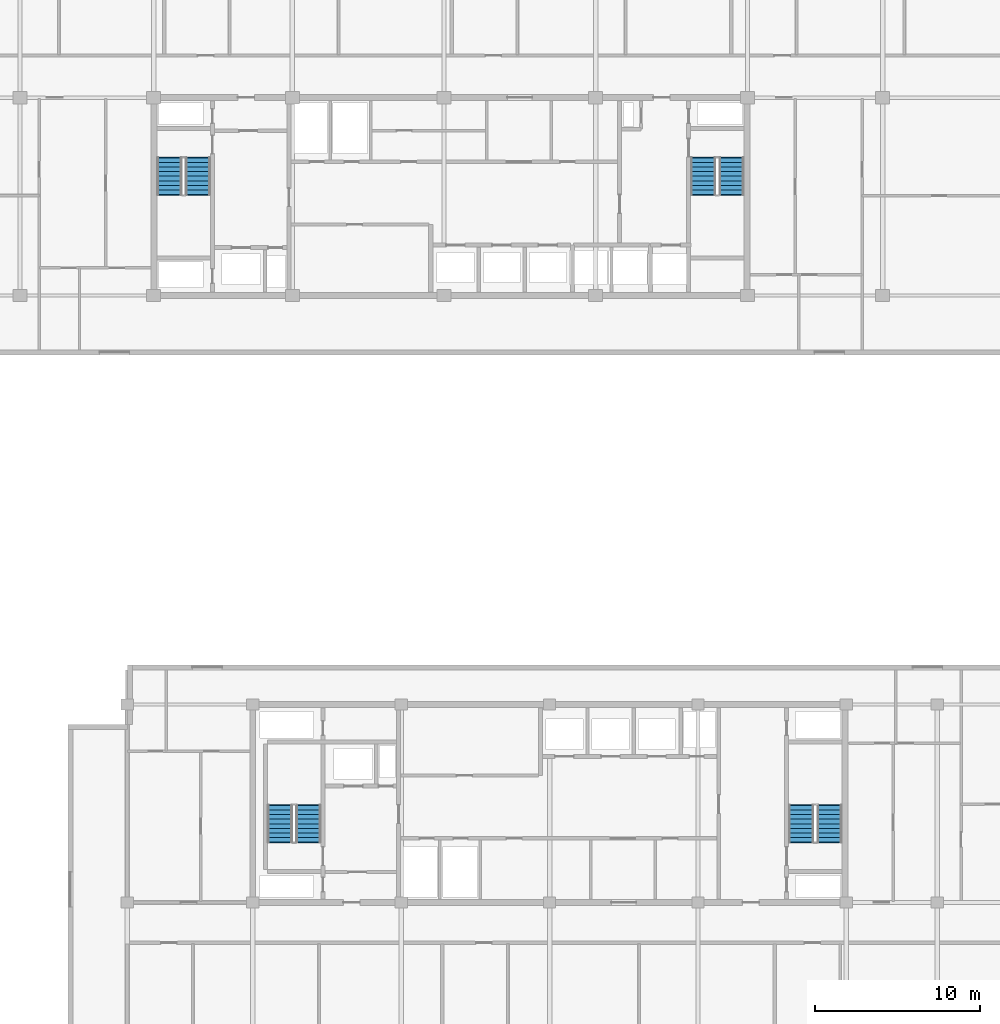
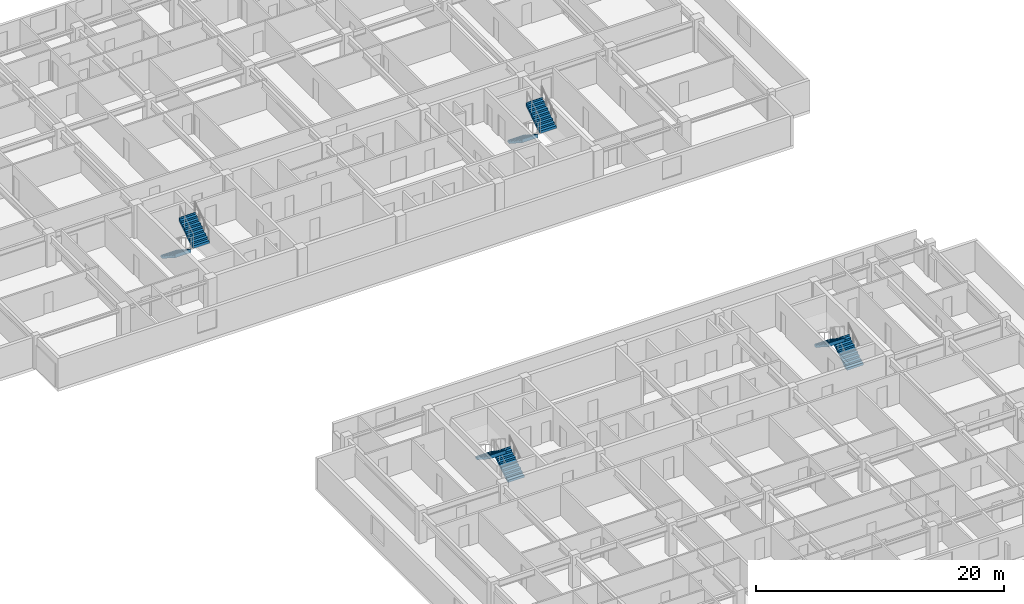
# One storey, part 18 of 23: 8 stair flights, 4 elements without a shape of their own.
"""IFC4 building model written with IfcOpenShell, lengths in metres."""

from ifc_helpers import new_model, si_unit, direction, frame, origin, place, context, subcontext, project, spatial, polyline, outline, extrude, material, type_object, element, aggregate, save


model = new_model("IFC4")

# Units and contexts
model_context = context("Model", 3, precision=1e-05, world=origin(), true_north=direction((0.0, 1.0)))
body_context = subcontext(model_context, "Body", "Model", "MODEL_VIEW")
ifc_project = project(units=[si_unit("LENGTHUNIT", "METRE"), si_unit("AREAUNIT", "SQUARE_METRE"), si_unit("VOLUMEUNIT", "CUBIC_METRE"), si_unit("PLANEANGLEUNIT", "RADIAN"), si_unit("MASSUNIT", "GRAM", prefix="KILO")], contexts=[model_context])

# Site, building, storey
site_placement = place(None, origin())
site = spatial("IfcSite", under=ifc_project, at=site_placement, CompositionType="ELEMENT")
building_placement = place(site_placement, origin())
building = spatial("IfcBuilding", under=site, at=building_placement, Name="Korimba Cascade Residences", CompositionType="ELEMENT")
storey_placement = place(building_placement, frame((0.0, 0.0, 165.35009765625)))
storey = spatial("IfcBuildingStorey", under=building, at=storey_placement, Name="L47", CompositionType="ELEMENT", Elevation=165.35009765625)

# Stair, stair flights
ifc_material = material(Name="Concrete C50/60", Category="concrete")
stair_type_1 = type_object("IfcStairType", Name="STR-W1-18R-1806", PredefinedType="HALF_TURN_STAIR", material=ifc_material)
stair_1_placement = place(storey_placement, origin())
stair_1 = element("IfcStair", 1, at=stair_1_placement, inside=storey, type_object=stair_type_1, Name="L47 Tower 1 West Fire Stair ST-W1", PredefinedType="HALF_TURN_STAIR")
stair_flight_type = type_object("IfcStairFlightType", Name="STF-DL-18R-1806-1520", PredefinedType="STRAIGHT", material=ifc_material)
stair_flight_1_placement = place(storey_placement, frame((77.06005859375, 63.550048828125, 0.0), z_axis=(0.0, 0.0, 1.0), x_axis=(0.0, -1.0, 0.0)))
stair_flight_1 = element("IfcStairFlight", 2, at=stair_flight_1_placement, type_object=stair_flight_type, Name="ST-W1 flight 1", NumberOfRisers=9, NumberOfTreads=8, PredefinedType="STRAIGHT", RiserHeight=0.180555556, TreadLength=0.28, context=body_context, shape_type="SweptSolid", body=[
    extrude(outline(polyline([(-0.0380859375, 0.0), (0.0, 0.1806640625), (0.280029296875, 0.1806640625), (0.280029296875, 0.361083984375), (0.56005859375, 0.361083984375), (0.56005859375, 0.541748046875), (0.840087890625, 0.541748046875), (0.840087890625, 0.72216796875), (1.1201171875, 0.72216796875), (1.1201171875, 0.90283203125), (1.39990234375, 0.90283203125), (1.39990234375, 1.083251953125), (1.679931640625, 1.083251953125), (1.679931640625, 1.263916015625), (1.9599609375, 1.263916015625), (1.9599609375, 1.4443359375), (2.239990234375, 1.4443359375), (2.239990234375, 1.625), (2.278076171875, 1.625), (2.278076171875, 1.26611328125), (0.276611328125, 0.0), (0.276611328125, -0.0380859375), (-0.0380859375, -0.0380859375), (-0.0380859375, 0.0)])), frame((0.0, 0.760009765625, 0.0), z_axis=(0.0, -1.0, 0.0), x_axis=(1.0, 0.0, 0.0)), (0.0, 0.0, 1.0), 1.52001953125),
])
stair_flight_2_placement = place(storey_placement, frame((78.780029296875, 61.31005859375, 1.625), z_axis=(0.0, 0.0, 1.0), x_axis=(0.0, 1.0, 0.0)))
stair_flight_2 = element("IfcStairFlight", 3, at=stair_flight_2_placement, type_object=stair_flight_type, Name="ST-W1 flight 2", NumberOfRisers=9, NumberOfTreads=8, PredefinedType="STRAIGHT", RiserHeight=0.180555556, TreadLength=0.28, context=body_context, shape_type="SweptSolid", body=[
    extrude(outline(polyline([(-0.0380859375, 0.0), (0.0, 0.1806640625), (0.280029296875, 0.1806640625), (0.280029296875, 0.361083984375), (0.56005859375, 0.361083984375), (0.56005859375, 0.541748046875), (0.840087890625, 0.541748046875), (0.840087890625, 0.72216796875), (1.1201171875, 0.72216796875), (1.1201171875, 0.90283203125), (1.39990234375, 0.90283203125), (1.39990234375, 1.083251953125), (1.679931640625, 1.083251953125), (1.679931640625, 1.263916015625), (1.9599609375, 1.263916015625), (1.9599609375, 1.4443359375), (2.239990234375, 1.4443359375), (2.239990234375, 1.625), (2.278076171875, 1.625), (2.278076171875, 1.26611328125), (0.276611328125, 0.0), (0.276611328125, -0.0380859375), (-0.0380859375, -0.0380859375), (-0.0380859375, 0.0)])), frame((0.0, 0.760009765625, 0.0), z_axis=(0.0, -1.0, 0.0), x_axis=(1.0, 0.0, 0.0)), (0.0, 0.0, 1.0), 1.52001953125),
])
aggregate(stair_1, [stair_flight_1, stair_flight_2])

stair_type_2 = type_object("IfcStairType", Name="STR-W2-18R-1806", PredefinedType="HALF_TURN_STAIR", material=ifc_material)
stair_2_placement = place(storey_placement, origin())
stair_2 = element("IfcStair", 4, at=stair_2_placement, inside=storey, type_object=stair_type_2, Name="L47 Tower 1 East Fire Stair ST-W2", PredefinedType="HALF_TURN_STAIR")
stair_flight_3_placement = place(storey_placement, frame((109.419921875, 63.550048828125, 0.0), z_axis=(0.0, 0.0, 1.0), x_axis=(0.0, -1.0, 0.0)))
stair_flight_3 = element("IfcStairFlight", 5, at=stair_flight_3_placement, type_object=stair_flight_type, Name="ST-W2 flight 1", NumberOfRisers=9, NumberOfTreads=8, PredefinedType="STRAIGHT", RiserHeight=0.180555556, TreadLength=0.28, context=body_context, shape_type="SweptSolid", body=[
    extrude(outline(polyline([(-0.0380859375, 0.0), (0.0, 0.1806640625), (0.280029296875, 0.1806640625), (0.280029296875, 0.361083984375), (0.56005859375, 0.361083984375), (0.56005859375, 0.541748046875), (0.840087890625, 0.541748046875), (0.840087890625, 0.72216796875), (1.1201171875, 0.72216796875), (1.1201171875, 0.90283203125), (1.39990234375, 0.90283203125), (1.39990234375, 1.083251953125), (1.679931640625, 1.083251953125), (1.679931640625, 1.263916015625), (1.9599609375, 1.263916015625), (1.9599609375, 1.4443359375), (2.239990234375, 1.4443359375), (2.239990234375, 1.625), (2.278076171875, 1.625), (2.278076171875, 1.26611328125), (0.276611328125, 0.0), (0.276611328125, -0.0380859375), (-0.0380859375, -0.0380859375), (-0.0380859375, 0.0)])), frame((0.0, 0.760009765625, 0.0), z_axis=(0.0, -1.0, 0.0), x_axis=(1.0, 0.0, 0.0)), (0.0, 0.0, 1.0), 1.52001953125),
])
stair_flight_4_placement = place(storey_placement, frame((111.139892578125, 61.31005859375, 1.625), z_axis=(0.0, 0.0, 1.0), x_axis=(0.0, 1.0, 0.0)))
stair_flight_4 = element("IfcStairFlight", 6, at=stair_flight_4_placement, type_object=stair_flight_type, Name="ST-W2 flight 2", NumberOfRisers=9, NumberOfTreads=8, PredefinedType="STRAIGHT", RiserHeight=0.180555556, TreadLength=0.28, context=body_context, shape_type="SweptSolid", body=[
    extrude(outline(polyline([(-0.0380859375, 0.0), (0.0, 0.1806640625), (0.280029296875, 0.1806640625), (0.280029296875, 0.361083984375), (0.56005859375, 0.361083984375), (0.56005859375, 0.541748046875), (0.840087890625, 0.541748046875), (0.840087890625, 0.72216796875), (1.1201171875, 0.72216796875), (1.1201171875, 0.90283203125), (1.39990234375, 0.90283203125), (1.39990234375, 1.083251953125), (1.679931640625, 1.083251953125), (1.679931640625, 1.263916015625), (1.9599609375, 1.263916015625), (1.9599609375, 1.4443359375), (2.239990234375, 1.4443359375), (2.239990234375, 1.625), (2.278076171875, 1.625), (2.278076171875, 1.26611328125), (0.276611328125, 0.0), (0.276611328125, -0.0380859375), (-0.0380859375, -0.0380859375), (-0.0380859375, 0.0)])), frame((0.0, 0.760009765625, 0.0), z_axis=(0.0, -1.0, 0.0), x_axis=(1.0, 0.0, 0.0)), (0.0, 0.0, 1.0), 1.52001953125),
])
aggregate(stair_2, [stair_flight_3, stair_flight_4])

stair_type_3 = type_object("IfcStairType", Name="STR-E1-18R-1806", PredefinedType="HALF_TURN_STAIR", material=ifc_material)
stair_3_placement = place(storey_placement, origin())
stair_3 = element("IfcStair", 7, at=stair_3_placement, inside=storey, type_object=stair_type_3, Name="L47 Tower 2 West Fire Stair ST-E1", PredefinedType="HALF_TURN_STAIR")
stair_flight_5_placement = place(storey_placement, frame((85.47998046875, 22.050048828125, 0.0), z_axis=(0.0, 0.0, 1.0), x_axis=(0.0, 1.0, 0.0)))
stair_flight_5 = element("IfcStairFlight", 8, at=stair_flight_5_placement, type_object=stair_flight_type, Name="ST-E1 flight 1", NumberOfRisers=9, NumberOfTreads=8, PredefinedType="STRAIGHT", RiserHeight=0.180555556, TreadLength=0.28, context=body_context, shape_type="SweptSolid", body=[
    extrude(outline(polyline([(-0.0380859375, 0.0), (0.0, 0.1806640625), (0.280029296875, 0.1806640625), (0.280029296875, 0.361083984375), (0.56005859375, 0.361083984375), (0.56005859375, 0.541748046875), (0.840087890625, 0.541748046875), (0.840087890625, 0.72216796875), (1.1201171875, 0.72216796875), (1.1201171875, 0.90283203125), (1.39990234375, 0.90283203125), (1.39990234375, 1.083251953125), (1.679931640625, 1.083251953125), (1.679931640625, 1.263916015625), (1.9599609375, 1.263916015625), (1.9599609375, 1.4443359375), (2.239990234375, 1.4443359375), (2.239990234375, 1.625), (2.278076171875, 1.625), (2.278076171875, 1.26611328125), (0.276611328125, 0.0), (0.276611328125, -0.0380859375), (-0.0380859375, -0.0380859375), (-0.0380859375, 0.0)])), frame((0.0, 0.760009765625, 0.0), z_axis=(0.0, -1.0, 0.0), x_axis=(1.0, 0.0, 0.0)), (0.0, 0.0, 1.0), 1.52001953125),
])
stair_flight_6_placement = place(storey_placement, frame((83.760009765625, 24.2900390625, 1.625), z_axis=(0.0, 0.0, 1.0), x_axis=(0.0, -1.0, 0.0)))
stair_flight_6 = element("IfcStairFlight", 9, at=stair_flight_6_placement, type_object=stair_flight_type, Name="ST-E1 flight 2", NumberOfRisers=9, NumberOfTreads=8, PredefinedType="STRAIGHT", RiserHeight=0.180555556, TreadLength=0.28, context=body_context, shape_type="SweptSolid", body=[
    extrude(outline(polyline([(-0.0380859375, 0.0), (0.0, 0.1806640625), (0.280029296875, 0.1806640625), (0.280029296875, 0.361083984375), (0.56005859375, 0.361083984375), (0.56005859375, 0.541748046875), (0.840087890625, 0.541748046875), (0.840087890625, 0.72216796875), (1.1201171875, 0.72216796875), (1.1201171875, 0.90283203125), (1.39990234375, 0.90283203125), (1.39990234375, 1.083251953125), (1.679931640625, 1.083251953125), (1.679931640625, 1.263916015625), (1.9599609375, 1.263916015625), (1.9599609375, 1.4443359375), (2.239990234375, 1.4443359375), (2.239990234375, 1.625), (2.278076171875, 1.625), (2.278076171875, 1.26611328125), (0.276611328125, 0.0), (0.276611328125, -0.0380859375), (-0.0380859375, -0.0380859375), (-0.0380859375, 0.0)])), frame((0.0, 0.760009765625, 0.0), z_axis=(0.0, -1.0, 0.0), x_axis=(1.0, 0.0, 0.0)), (0.0, 0.0, 1.0), 1.52001953125),
])
aggregate(stair_3, [stair_flight_5, stair_flight_6])

stair_type_4 = type_object("IfcStairType", Name="STR-E2-18R-1806", PredefinedType="HALF_TURN_STAIR", material=ifc_material)
stair_4_placement = place(storey_placement, origin())
stair_4 = element("IfcStair", 10, at=stair_4_placement, inside=storey, type_object=stair_type_4, Name="L47 Tower 2 East Fire Stair ST-E2", PredefinedType="HALF_TURN_STAIR")
stair_flight_7_placement = place(storey_placement, frame((117.080078125, 22.050048828125, 0.0), z_axis=(0.0, 0.0, 1.0), x_axis=(0.0, 1.0, 0.0)))
stair_flight_7 = element("IfcStairFlight", 11, at=stair_flight_7_placement, type_object=stair_flight_type, Name="ST-E2 flight 1", NumberOfRisers=9, NumberOfTreads=8, PredefinedType="STRAIGHT", RiserHeight=0.180555556, TreadLength=0.28, context=body_context, shape_type="SweptSolid", body=[
    extrude(outline(polyline([(-0.0380859375, 0.0), (0.0, 0.1806640625), (0.280029296875, 0.1806640625), (0.280029296875, 0.361083984375), (0.56005859375, 0.361083984375), (0.56005859375, 0.541748046875), (0.840087890625, 0.541748046875), (0.840087890625, 0.72216796875), (1.1201171875, 0.72216796875), (1.1201171875, 0.90283203125), (1.39990234375, 0.90283203125), (1.39990234375, 1.083251953125), (1.679931640625, 1.083251953125), (1.679931640625, 1.263916015625), (1.9599609375, 1.263916015625), (1.9599609375, 1.4443359375), (2.239990234375, 1.4443359375), (2.239990234375, 1.625), (2.278076171875, 1.625), (2.278076171875, 1.26611328125), (0.276611328125, 0.0), (0.276611328125, -0.0380859375), (-0.0380859375, -0.0380859375), (-0.0380859375, 0.0)])), frame((0.0, 0.760009765625, 0.0), z_axis=(0.0, -1.0, 0.0), x_axis=(1.0, 0.0, 0.0)), (0.0, 0.0, 1.0), 1.52001953125),
])
stair_flight_8_placement = place(storey_placement, frame((115.360107421875, 24.2900390625, 1.625), z_axis=(0.0, 0.0, 1.0), x_axis=(0.0, -1.0, 0.0)))
stair_flight_8 = element("IfcStairFlight", 12, at=stair_flight_8_placement, type_object=stair_flight_type, Name="ST-E2 flight 2", NumberOfRisers=9, NumberOfTreads=8, PredefinedType="STRAIGHT", RiserHeight=0.180555556, TreadLength=0.28, context=body_context, shape_type="SweptSolid", body=[
    extrude(outline(polyline([(-0.0380859375, 0.0), (0.0, 0.1806640625), (0.280029296875, 0.1806640625), (0.280029296875, 0.361083984375), (0.56005859375, 0.361083984375), (0.56005859375, 0.541748046875), (0.840087890625, 0.541748046875), (0.840087890625, 0.72216796875), (1.1201171875, 0.72216796875), (1.1201171875, 0.90283203125), (1.39990234375, 0.90283203125), (1.39990234375, 1.083251953125), (1.679931640625, 1.083251953125), (1.679931640625, 1.263916015625), (1.9599609375, 1.263916015625), (1.9599609375, 1.4443359375), (2.239990234375, 1.4443359375), (2.239990234375, 1.625), (2.278076171875, 1.625), (2.278076171875, 1.26611328125), (0.276611328125, 0.0), (0.276611328125, -0.0380859375), (-0.0380859375, -0.0380859375), (-0.0380859375, 0.0)])), frame((0.0, 0.760009765625, 0.0), z_axis=(0.0, -1.0, 0.0), x_axis=(1.0, 0.0, 0.0)), (0.0, 0.0, 1.0), 1.52001953125),
])
aggregate(stair_4, [stair_flight_7, stair_flight_8])

save(model, "model.ifc")
